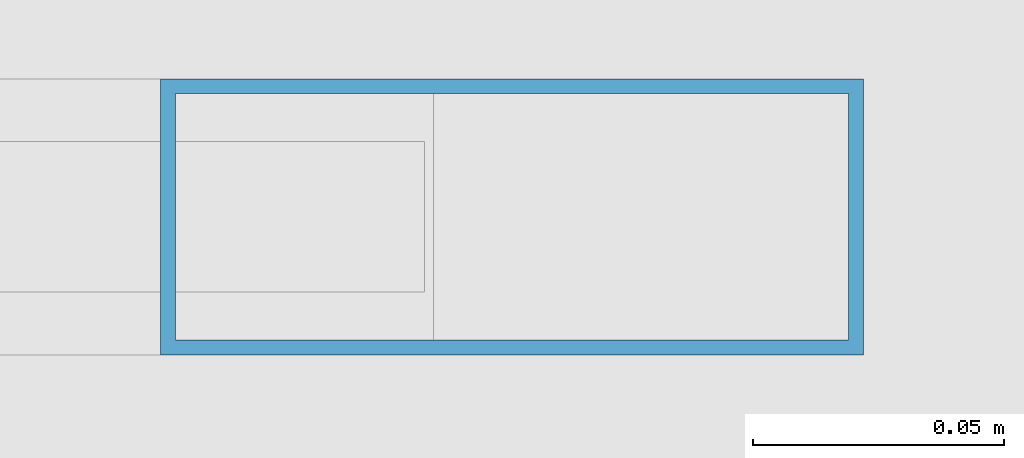
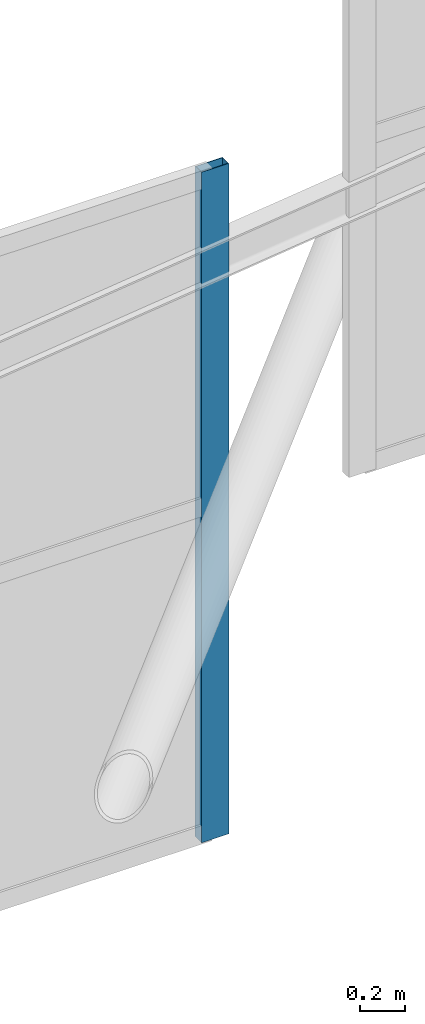
# One storey, part 30 of 397: 1 member, 1 element without a shape of its own.
"""IFC4 building model written with IfcOpenShell, lengths in metres."""

from ifc_helpers import new_model, si_unit, direction, frame, origin, origin_2d, place, context, subcontext, project, spatial, hollow_rectangle, extrude, material, material_profile, profile_set, type_object, element, aggregate, save


model = new_model("IFC4")

# Units and contexts
model_context = context("Model", 3, precision=1e-05, world=origin(), true_north=direction((0.0, 1.0)))
body_context = subcontext(model_context, "Body", "Model", "MODEL_VIEW")
ifc_project = project(units=[si_unit("LENGTHUNIT", "METRE"), si_unit("AREAUNIT", "SQUARE_METRE"), si_unit("VOLUMEUNIT", "CUBIC_METRE"), si_unit("PLANEANGLEUNIT", "RADIAN"), si_unit("MASSUNIT", "GRAM", prefix="KILO")], contexts=[model_context])

# Site, building, storey
site_placement = place(None, origin())
site = spatial("IfcSite", under=ifc_project, at=site_placement, CompositionType="ELEMENT")
building_placement = place(site_placement, origin())
building = spatial("IfcBuilding", under=site, at=building_placement, Name="Qandorah Velis Arena", CompositionType="ELEMENT")
storey_placement = place(building_placement, frame((0.0, 0.0, 27.5)))
storey = spatial("IfcBuildingStorey", under=building, at=storey_placement, Name="RF", CompositionType="ELEMENT", Elevation=27.5)

# Curtain wall, member
ifc_material_1 = material(Name="Solar-control low-E double glazing", Category="glass")
curtain_wall_type = type_object("IfcCurtainWallType", Name="ARC-CW-SYS19", PredefinedType="USERDEFINED", material=ifc_material_1)
curtain_wall_placement = place(storey_placement, origin())
curtain_wall = element("IfcCurtainWall", 1, at=curtain_wall_placement, inside=storey, type_object=curtain_wall_type, Name="Unitised curtain wall MON-3-1", ObjectType="UNITISED CURTAIN WALL", PredefinedType="USERDEFINED")
ifc_material_2 = material(Name="Champagne-bronze anodized aluminium 6063-T6", Category="aluminium")
ifc_material_profile = material_profile(ifc_material_2, hollow_rectangle(XDim=0.054931640625, YDim=0.139892578125, WallThickness=0.0029296875, at=origin_2d()), Name="ALU MULLION 55x140")
ifc_profile_set = profile_set([ifc_material_profile], Name="Champagne-bronze anodized aluminium 6063-T6")
member_type = type_object("IfcMemberType", Name="ARC-CWM-140", PredefinedType="MULLION", material=ifc_profile_set)
member_placement = place(storey_placement, frame((35.62255859375, 21.60009765625, 3.625732421875), z_axis=(0.0, 0.0, 1.0), x_axis=(0.0, 1.0, 0.0)))
member = element("IfcMember", 2, at=member_placement, type_object=member_type, Name="CW19 mullion 10", PredefinedType="MULLION", context=body_context, shape_type="SweptSolid", body=[
    extrude(hollow_rectangle(XDim=0.054931640625, YDim=0.139892578125, WallThickness=0.0029296875, at=origin_2d()), origin(), (0.0, 0.0, 1.0), 3.630126953125),
])
aggregate(curtain_wall, [member])

save(model, "model.ifc")
